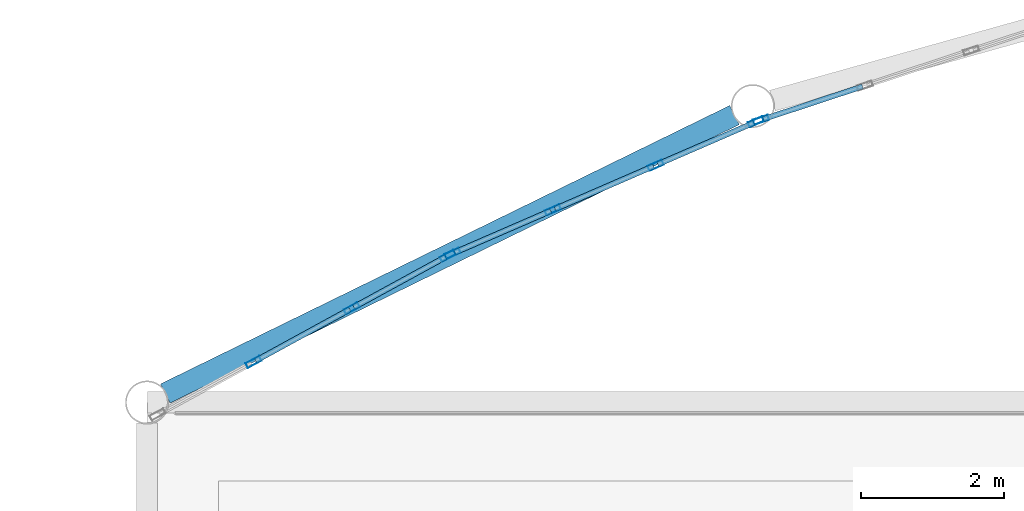
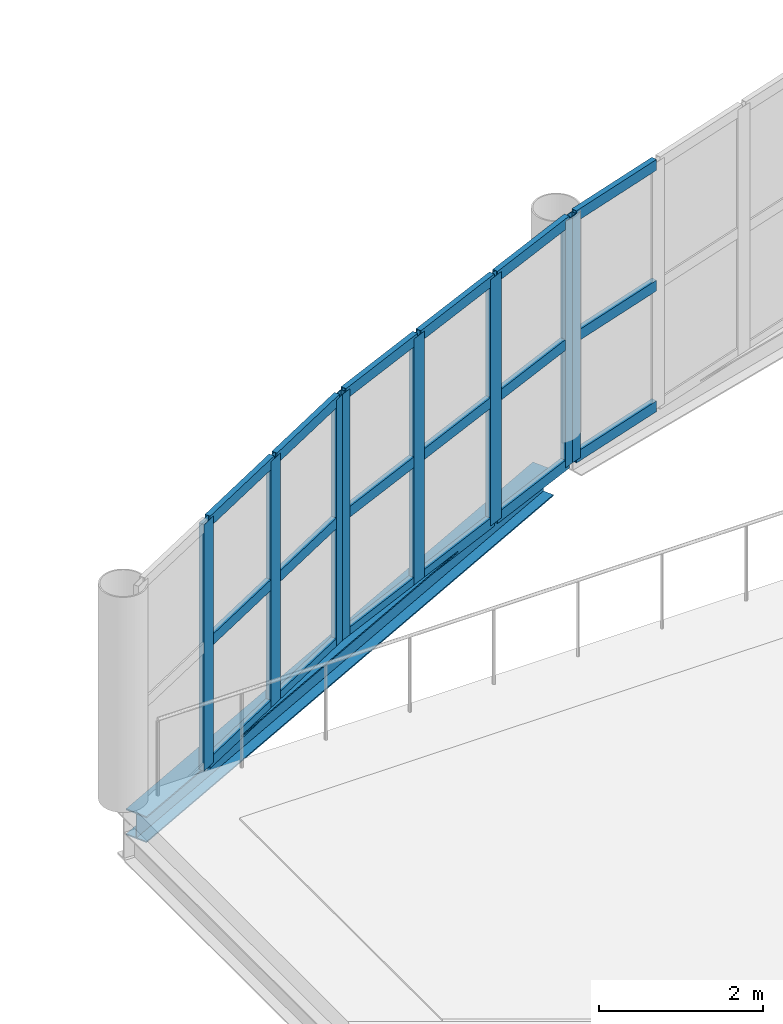
# One storey, part 63 of 134: 26 members, 1 beam, 3 elements without a shape of their own.
"""IFC4 building model written with IfcOpenShell, lengths in metres."""

from ifc_helpers import new_model, si_unit, direction, frame, origin, origin_2d, place, context, subcontext, project, spatial, hollow_rectangle, i_section, extrude, material, layer, layer_set, material_profile, profile_set, type_object, element, aggregate, save


model = new_model("IFC4")

# Units and contexts
model_context = context("Model", 3, precision=1e-05, world=origin(), true_north=direction((0.0, 1.0)))
body_context = subcontext(model_context, "Body", "Model", "MODEL_VIEW")
ifc_project = project(units=[si_unit("LENGTHUNIT", "METRE"), si_unit("AREAUNIT", "SQUARE_METRE"), si_unit("VOLUMEUNIT", "CUBIC_METRE"), si_unit("PLANEANGLEUNIT", "RADIAN"), si_unit("MASSUNIT", "GRAM", prefix="KILO")], contexts=[model_context])

# Site, building, storey
site_placement = place(None, origin())
site = spatial("IfcSite", under=ifc_project, at=site_placement, CompositionType="ELEMENT")
building_placement = place(site_placement, origin())
building = spatial("IfcBuilding", under=site, at=building_placement, Name="Tamarisk Ironworks Central Station", CompositionType="ELEMENT")
storey_placement = place(building_placement, frame((0.0, 0.0, 12.60009765625)))
storey = spatial("IfcBuildingStorey", under=building, at=storey_placement, Name="L02", CompositionType="ELEMENT", Elevation=12.60009765625)

# Beam
ifc_material_1 = material(Name="Structural steel S355J2", Category="steel")
ifc_material_profile_1 = material_profile(ifc_material_1, i_section(OverallWidth=0.300048828125, OverallDepth=0.389892578125, WebThickness=0.010986328125, FlangeThickness=0.01904296875, at=origin_2d()), Name="HEA 400")
ifc_profile_set_1 = profile_set([ifc_material_profile_1], Name="Structural steel S355J2")
beam_type = type_object("IfcBeamType", Name="BM-G07", PredefinedType="BEAM", material=ifc_profile_set_1)
beam_placement = place(storey_placement, frame((54.256103515625, 111.72509765625, -0.5751953125), z_axis=(0.898270064187, 0.439443843723, 0.0), x_axis=(-0.439443843723, 0.898270064187, 0.0)))
element("IfcBeam", 1, at=beam_placement, inside=storey, type_object=beam_type, Name="NN rounded nose L02 chord girder 026", PredefinedType="BEAM", context=body_context, shape_type="SweptSolid", body=[
    extrude(i_section(OverallWidth=0.300048828125, OverallDepth=0.389892578125, WebThickness=0.010986328125, FlangeThickness=0.01904296875, at=origin_2d()), origin(), (0.0, 0.0, 1.0), 8.880126953125),
])

# Curtain wall, members
ifc_material_2 = material(Name="Anodized aluminium alloy 6063-T6", Category="aluminium")
ifc_layer = layer(ifc_material_2, 0.179931640625)
ifc_layer_set = layer_set([ifc_layer], Name="Anodized aluminium alloy 6063-T6")
curtain_wall_type = type_object("IfcCurtainWallType", Name="CW-03", PredefinedType="USERDEFINED", material=ifc_layer_set)
curtain_wall_1_placement = place(storey_placement, origin())
curtain_wall_1 = element("IfcCurtainWall", 2, at=curtain_wall_1_placement, inside=storey, type_object=curtain_wall_type, Name="NN rounded entrance hall L02 curtain wall bay 01", ObjectType="GLAZED CURTAIN WALL", PredefinedType="USERDEFINED")
ifc_material_profile_2 = material_profile(ifc_material_2, hollow_rectangle(XDim=0.074951171875, YDim=0.219970703125, WallThickness=0.00390625, at=origin_2d()), Name="ALUM 220x75")
ifc_profile_set_2 = profile_set([ifc_material_profile_2], Name="Anodized aluminium alloy 6063-T6")
member_type_1 = type_object("IfcMemberType", Name="CWM-01", PredefinedType="MULLION", material=ifc_profile_set_2)
member_1_placement = place(storey_placement, frame((55.4931640625, 112.166015625, -0.385009765625), z_axis=(0.0, 0.0, 1.0), x_axis=(-0.47980544644, 0.877374910495, 0.0)))
member_1 = element("IfcMember", 3, at=member_1_placement, type_object=member_type_1, Name="CW03 mullion 2", PredefinedType="MULLION", context=body_context, shape_type="SweptSolid", body=[
    extrude(hollow_rectangle(XDim=0.074951171875, YDim=0.219970703125, WallThickness=0.00390625, at=origin_2d()), origin(), (0.0, 0.0, 1.0), 3.664794921875),
])
member_2_placement = place(storey_placement, frame((56.870361328125, 112.91943359375, -0.385009765625), z_axis=(0.0, 0.0, 1.0), x_axis=(-0.47980544644, 0.877374910495, 0.0)))
member_2 = element("IfcMember", 4, at=member_2_placement, type_object=member_type_1, Name="CW03 mullion 3", PredefinedType="MULLION", context=body_context, shape_type="SweptSolid", body=[
    extrude(hollow_rectangle(XDim=0.074951171875, YDim=0.219970703125, WallThickness=0.00390625, at=origin_2d()), origin(), (0.0, 0.0, 1.0), 3.664794921875),
])
member_3_placement = place(storey_placement, frame((58.21484375, 113.654541015625, -0.385009765625), z_axis=(0.0, 0.0, 1.0), x_axis=(-0.47980544644, 0.877374910495, 0.0)))
member_3 = element("IfcMember", 5, at=member_3_placement, type_object=member_type_1, Name="CW03 mullion 4", PredefinedType="MULLION", context=body_context, shape_type="SweptSolid", body=[
    extrude(hollow_rectangle(XDim=0.074951171875, YDim=0.219970703125, WallThickness=0.00390625, at=origin_2d()), origin(), (0.0, 0.0, 1.0), 3.664794921875),
])

curtain_wall_2_placement = place(storey_placement, origin())
curtain_wall_2 = element("IfcCurtainWall", 6, at=curtain_wall_2_placement, inside=storey, type_object=curtain_wall_type, Name="NN rounded entrance hall L02 curtain wall bay 02", ObjectType="GLAZED CURTAIN WALL", PredefinedType="USERDEFINED")
member_4_placement = place(storey_placement, frame((58.2822265625, 113.6875, -0.385009765625), z_axis=(0.0, 0.0, 1.0), x_axis=(-0.398076935564, 0.917352033503, 0.0)))
member_4 = element("IfcMember", 7, at=member_4_placement, type_object=member_type_1, Name="CW03 mullion 1", PredefinedType="MULLION", context=body_context, shape_type="SweptSolid", body=[
    extrude(hollow_rectangle(XDim=0.074951171875, YDim=0.219970703125, WallThickness=0.00390625, at=origin_2d()), origin(), (0.0, 0.0, 1.0), 3.664794921875),
])
member_5_placement = place(storey_placement, frame((59.68798828125, 114.297607421875, -0.385009765625), z_axis=(0.0, 0.0, 1.0), x_axis=(-0.398076935564, 0.917352033503, 0.0)))
member_5 = element("IfcMember", 8, at=member_5_placement, type_object=member_type_1, Name="CW03 mullion 2", PredefinedType="MULLION", context=body_context, shape_type="SweptSolid", body=[
    extrude(hollow_rectangle(XDim=0.074951171875, YDim=0.219970703125, WallThickness=0.00390625, at=origin_2d()), origin(), (0.0, 0.0, 1.0), 3.664794921875),
])
member_6_placement = place(storey_placement, frame((61.128173828125, 114.92236328125, -0.385009765625), z_axis=(0.0, 0.0, 1.0), x_axis=(-0.398076935564, 0.917352033503, 0.0)))
member_6 = element("IfcMember", 9, at=member_6_placement, type_object=member_type_1, Name="CW03 mullion 3", PredefinedType="MULLION", context=body_context, shape_type="SweptSolid", body=[
    extrude(hollow_rectangle(XDim=0.074951171875, YDim=0.219970703125, WallThickness=0.00390625, at=origin_2d()), origin(), (0.0, 0.0, 1.0), 3.664794921875),
])
member_7_placement = place(storey_placement, frame((62.53369140625, 115.532470703125, -0.385009765625), z_axis=(0.0, 0.0, 1.0), x_axis=(-0.398076935564, 0.917352033503, 0.0)))
member_7 = element("IfcMember", 10, at=member_7_placement, type_object=member_type_1, Name="CW03 mullion 4", PredefinedType="MULLION", context=body_context, shape_type="SweptSolid", body=[
    extrude(hollow_rectangle(XDim=0.074951171875, YDim=0.219970703125, WallThickness=0.00390625, at=origin_2d()), origin(), (0.0, 0.0, 1.0), 3.664794921875),
])

# Curtain wall, member
curtain_wall_3_placement = place(storey_placement, origin())
curtain_wall_3 = element("IfcCurtainWall", 11, at=curtain_wall_3_placement, inside=storey, type_object=curtain_wall_type, Name="NN rounded entrance hall L02 curtain wall bay 03", ObjectType="GLAZED CURTAIN WALL", PredefinedType="USERDEFINED")
member_8_placement = place(storey_placement, frame((62.603759765625, 115.55908203125, -0.385009765625), z_axis=(0.0, 0.0, 1.0), x_axis=(-0.313098460171, 0.949720671692, 0.0)))
member_8 = element("IfcMember", 12, at=member_8_placement, type_object=member_type_1, Name="CW03 mullion 1", PredefinedType="MULLION", context=body_context, shape_type="SweptSolid", body=[
    extrude(hollow_rectangle(XDim=0.074951171875, YDim=0.219970703125, WallThickness=0.00390625, at=origin_2d()), origin(), (0.0, 0.0, 1.0), 3.664794921875),
])

# Member
ifc_material_profile_3 = material_profile(ifc_material_2, hollow_rectangle(XDim=0.074951171875, YDim=0.159912109375, WallThickness=0.00390625, at=origin_2d()), Name="ALUM 160x75")
ifc_profile_set_3 = profile_set([ifc_material_profile_3], Name="Anodized aluminium alloy 6063-T6")
member_type_2 = type_object("IfcMemberType", Name="CWT-01", PredefinedType="USERDEFINED", material=ifc_profile_set_3)
member_9_placement = place(storey_placement, frame((55.5224609375, 112.18212890625, -0.34765625), z_axis=(0.87734870018, 0.479853371659, 0.0), x_axis=(-0.479853371659, 0.87734870018, 0.0)))
member_9 = element("IfcMember", 13, at=member_9_placement, type_object=member_type_2, Name="CW03 transom 2.1", ObjectType="TRANSOM", PredefinedType="USERDEFINED", context=body_context, shape_type="SweptSolid", body=[
    extrude(hollow_rectangle(XDim=0.074951171875, YDim=0.159912109375, WallThickness=0.00390625, at=origin_2d()), origin(), (0.0, 0.0, 1.0), 1.5029296875),
])

member_10_placement = place(storey_placement, frame((55.5224609375, 112.18212890625, 1.447509765625), z_axis=(0.87734870018, 0.479853371659, 0.0), x_axis=(-0.479853371659, 0.87734870018, 0.0)))
member_10 = element("IfcMember", 14, at=member_10_placement, type_object=member_type_2, Name="CW03 transom 2.2", ObjectType="TRANSOM", PredefinedType="USERDEFINED", context=body_context, shape_type="SweptSolid", body=[
    extrude(hollow_rectangle(XDim=0.074951171875, YDim=0.159912109375, WallThickness=0.00390625, at=origin_2d()), origin(), (0.0, 0.0, 1.0), 1.5029296875),
])

member_11_placement = place(storey_placement, frame((55.5224609375, 112.18212890625, 3.242431640625), z_axis=(0.87734870018, 0.479853371659, 0.0), x_axis=(-0.479853371659, 0.87734870018, 0.0)))
member_11 = element("IfcMember", 15, at=member_11_placement, type_object=member_type_2, Name="CW03 transom 2.3", ObjectType="TRANSOM", PredefinedType="USERDEFINED", context=body_context, shape_type="SweptSolid", body=[
    extrude(hollow_rectangle(XDim=0.074951171875, YDim=0.159912109375, WallThickness=0.00390625, at=origin_2d()), origin(), (0.0, 0.0, 1.0), 1.5029296875),
])

member_12_placement = place(storey_placement, frame((56.89990234375, 112.935546875, -0.34765625), z_axis=(0.877430316335, 0.479704117115, 0.0), x_axis=(-0.479704117115, 0.877430316335, 0.0)))
member_12 = element("IfcMember", 16, at=member_12_placement, type_object=member_type_2, Name="CW03 transom 3.1", ObjectType="TRANSOM", PredefinedType="USERDEFINED", context=body_context, shape_type="SweptSolid", body=[
    extrude(hollow_rectangle(XDim=0.074951171875, YDim=0.159912109375, WallThickness=0.00390625, at=origin_2d()), origin(), (0.0, 0.0, 1.0), 1.46533203125),
])

member_13_placement = place(storey_placement, frame((56.89990234375, 112.935546875, 1.447509765625), z_axis=(0.877430316335, 0.479704117115, 0.0), x_axis=(-0.479704117115, 0.877430316335, 0.0)))
member_13 = element("IfcMember", 17, at=member_13_placement, type_object=member_type_2, Name="CW03 transom 3.2", ObjectType="TRANSOM", PredefinedType="USERDEFINED", context=body_context, shape_type="SweptSolid", body=[
    extrude(hollow_rectangle(XDim=0.074951171875, YDim=0.159912109375, WallThickness=0.00390625, at=origin_2d()), origin(), (0.0, 0.0, 1.0), 1.46533203125),
])

member_14_placement = place(storey_placement, frame((56.89990234375, 112.935546875, 3.242431640625), z_axis=(0.877430316335, 0.479704117115, 0.0), x_axis=(-0.479704117115, 0.877430316335, 0.0)))
member_14 = element("IfcMember", 18, at=member_14_placement, type_object=member_type_2, Name="CW03 transom 3.3", ObjectType="TRANSOM", PredefinedType="USERDEFINED", context=body_context, shape_type="SweptSolid", body=[
    extrude(hollow_rectangle(XDim=0.074951171875, YDim=0.159912109375, WallThickness=0.00390625, at=origin_2d()), origin(), (0.0, 0.0, 1.0), 1.46533203125),
])

aggregate(curtain_wall_1, [member_1, member_2, member_3, member_9, member_10, member_11, member_12, member_13, member_14])

member_15_placement = place(storey_placement, frame((58.31298828125, 113.700927734375, -0.34765625), z_axis=(0.917369117832, 0.398037563113, 0.0), x_axis=(-0.398037563113, 0.917369117832, 0.0)))
member_15 = element("IfcMember", 19, at=member_15_placement, type_object=member_type_2, Name="CW03 transom 1.1", ObjectType="TRANSOM", PredefinedType="USERDEFINED", context=body_context, shape_type="SweptSolid", body=[
    extrude(hollow_rectangle(XDim=0.074951171875, YDim=0.159912109375, WallThickness=0.00390625, at=origin_2d()), origin(), (0.0, 0.0, 1.0), 1.46533203125),
])

member_16_placement = place(storey_placement, frame((58.31298828125, 113.700927734375, 1.447509765625), z_axis=(0.917369117832, 0.398037563113, 0.0), x_axis=(-0.398037563113, 0.917369117832, 0.0)))
member_16 = element("IfcMember", 20, at=member_16_placement, type_object=member_type_2, Name="CW03 transom 1.2", ObjectType="TRANSOM", PredefinedType="USERDEFINED", context=body_context, shape_type="SweptSolid", body=[
    extrude(hollow_rectangle(XDim=0.074951171875, YDim=0.159912109375, WallThickness=0.00390625, at=origin_2d()), origin(), (0.0, 0.0, 1.0), 1.46533203125),
])

member_17_placement = place(storey_placement, frame((58.31298828125, 113.700927734375, 3.242431640625), z_axis=(0.917369117832, 0.398037563113, 0.0), x_axis=(-0.398037563113, 0.917369117832, 0.0)))
member_17 = element("IfcMember", 21, at=member_17_placement, type_object=member_type_2, Name="CW03 transom 1.3", ObjectType="TRANSOM", PredefinedType="USERDEFINED", context=body_context, shape_type="SweptSolid", body=[
    extrude(hollow_rectangle(XDim=0.074951171875, YDim=0.159912109375, WallThickness=0.00390625, at=origin_2d()), origin(), (0.0, 0.0, 1.0), 1.46533203125),
])

member_18_placement = place(storey_placement, frame((59.71875, 114.310791015625, -0.34765625), z_axis=(0.91732038484, 0.398149860677, 0.0), x_axis=(-0.398149860677, 0.91732038484, 0.0)))
member_18 = element("IfcMember", 22, at=member_18_placement, type_object=member_type_2, Name="CW03 transom 2.1", ObjectType="TRANSOM", PredefinedType="USERDEFINED", context=body_context, shape_type="SweptSolid", body=[
    extrude(hollow_rectangle(XDim=0.074951171875, YDim=0.159912109375, WallThickness=0.00390625, at=origin_2d()), origin(), (0.0, 0.0, 1.0), 1.5029296875),
])

member_19_placement = place(storey_placement, frame((59.71875, 114.310791015625, 1.447509765625), z_axis=(0.91732038484, 0.398149860677, 0.0), x_axis=(-0.398149860677, 0.91732038484, 0.0)))
member_19 = element("IfcMember", 23, at=member_19_placement, type_object=member_type_2, Name="CW03 transom 2.2", ObjectType="TRANSOM", PredefinedType="USERDEFINED", context=body_context, shape_type="SweptSolid", body=[
    extrude(hollow_rectangle(XDim=0.074951171875, YDim=0.159912109375, WallThickness=0.00390625, at=origin_2d()), origin(), (0.0, 0.0, 1.0), 1.5029296875),
])

member_20_placement = place(storey_placement, frame((59.71875, 114.310791015625, 3.242431640625), z_axis=(0.91732038484, 0.398149860677, 0.0), x_axis=(-0.398149860677, 0.91732038484, 0.0)))
member_20 = element("IfcMember", 24, at=member_20_placement, type_object=member_type_2, Name="CW03 transom 2.3", ObjectType="TRANSOM", PredefinedType="USERDEFINED", context=body_context, shape_type="SweptSolid", body=[
    extrude(hollow_rectangle(XDim=0.074951171875, YDim=0.159912109375, WallThickness=0.00390625, at=origin_2d()), origin(), (0.0, 0.0, 1.0), 1.5029296875),
])

member_21_placement = place(storey_placement, frame((61.15869140625, 114.935791015625, -0.34765625), z_axis=(0.917395508869, 0.397976733374, 0.0), x_axis=(-0.397976733374, 0.917395508869, 0.0)))
member_21 = element("IfcMember", 25, at=member_21_placement, type_object=member_type_2, Name="CW03 transom 3.1", ObjectType="TRANSOM", PredefinedType="USERDEFINED", context=body_context, shape_type="SweptSolid", body=[
    extrude(hollow_rectangle(XDim=0.074951171875, YDim=0.159912109375, WallThickness=0.00390625, at=origin_2d()), origin(), (0.0, 0.0, 1.0), 1.465576171875),
])

member_22_placement = place(storey_placement, frame((61.15869140625, 114.935791015625, 1.447509765625), z_axis=(0.917395508869, 0.397976733374, 0.0), x_axis=(-0.397976733374, 0.917395508869, 0.0)))
member_22 = element("IfcMember", 26, at=member_22_placement, type_object=member_type_2, Name="CW03 transom 3.2", ObjectType="TRANSOM", PredefinedType="USERDEFINED", context=body_context, shape_type="SweptSolid", body=[
    extrude(hollow_rectangle(XDim=0.074951171875, YDim=0.159912109375, WallThickness=0.00390625, at=origin_2d()), origin(), (0.0, 0.0, 1.0), 1.465576171875),
])

member_23_placement = place(storey_placement, frame((61.15869140625, 114.935791015625, 3.242431640625), z_axis=(0.917395508869, 0.397976733374, 0.0), x_axis=(-0.397976733374, 0.917395508869, 0.0)))
member_23 = element("IfcMember", 27, at=member_23_placement, type_object=member_type_2, Name="CW03 transom 3.3", ObjectType="TRANSOM", PredefinedType="USERDEFINED", context=body_context, shape_type="SweptSolid", body=[
    extrude(hollow_rectangle(XDim=0.074951171875, YDim=0.159912109375, WallThickness=0.00390625, at=origin_2d()), origin(), (0.0, 0.0, 1.0), 1.465576171875),
])

aggregate(curtain_wall_2, [member_4, member_5, member_6, member_7, member_15, member_16, member_17, member_18, member_19, member_20, member_21, member_22, member_23])

member_24_placement = place(storey_placement, frame((62.6357421875, 115.569580078125, -0.34765625), z_axis=(0.949678219118, 0.313227202095, 0.0), x_axis=(-0.313227202095, 0.949678219118, 0.0)))
member_24 = element("IfcMember", 28, at=member_24_placement, type_object=member_type_2, Name="CW03 transom 1.1", ObjectType="TRANSOM", PredefinedType="USERDEFINED", context=body_context, shape_type="SweptSolid", body=[
    extrude(hollow_rectangle(XDim=0.074951171875, YDim=0.159912109375, WallThickness=0.00390625, at=origin_2d()), origin(), (0.0, 0.0, 1.0), 1.46533203125),
])

member_25_placement = place(storey_placement, frame((62.6357421875, 115.569580078125, 1.447509765625), z_axis=(0.949678219118, 0.313227202095, 0.0), x_axis=(-0.313227202095, 0.949678219118, 0.0)))
member_25 = element("IfcMember", 29, at=member_25_placement, type_object=member_type_2, Name="CW03 transom 1.2", ObjectType="TRANSOM", PredefinedType="USERDEFINED", context=body_context, shape_type="SweptSolid", body=[
    extrude(hollow_rectangle(XDim=0.074951171875, YDim=0.159912109375, WallThickness=0.00390625, at=origin_2d()), origin(), (0.0, 0.0, 1.0), 1.46533203125),
])

member_26_placement = place(storey_placement, frame((62.6357421875, 115.569580078125, 3.242431640625), z_axis=(0.949678219118, 0.313227202095, 0.0), x_axis=(-0.313227202095, 0.949678219118, 0.0)))
member_26 = element("IfcMember", 30, at=member_26_placement, type_object=member_type_2, Name="CW03 transom 1.3", ObjectType="TRANSOM", PredefinedType="USERDEFINED", context=body_context, shape_type="SweptSolid", body=[
    extrude(hollow_rectangle(XDim=0.074951171875, YDim=0.159912109375, WallThickness=0.00390625, at=origin_2d()), origin(), (0.0, 0.0, 1.0), 1.46533203125),
])

aggregate(curtain_wall_3, [member_8, member_24, member_25, member_26])

save(model, "model.ifc")
